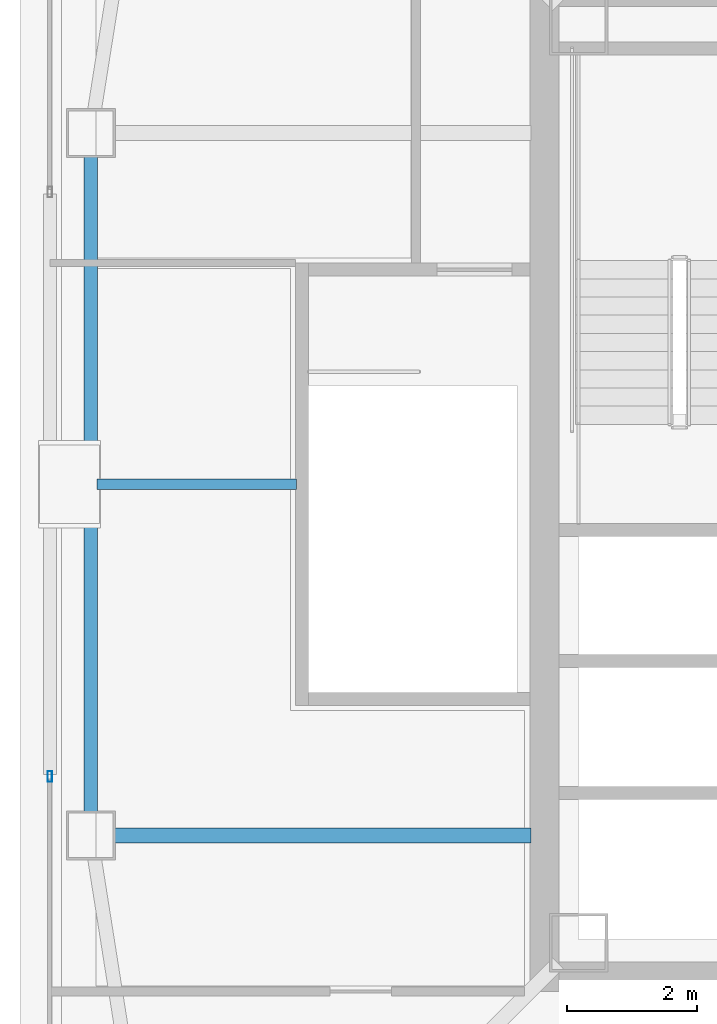
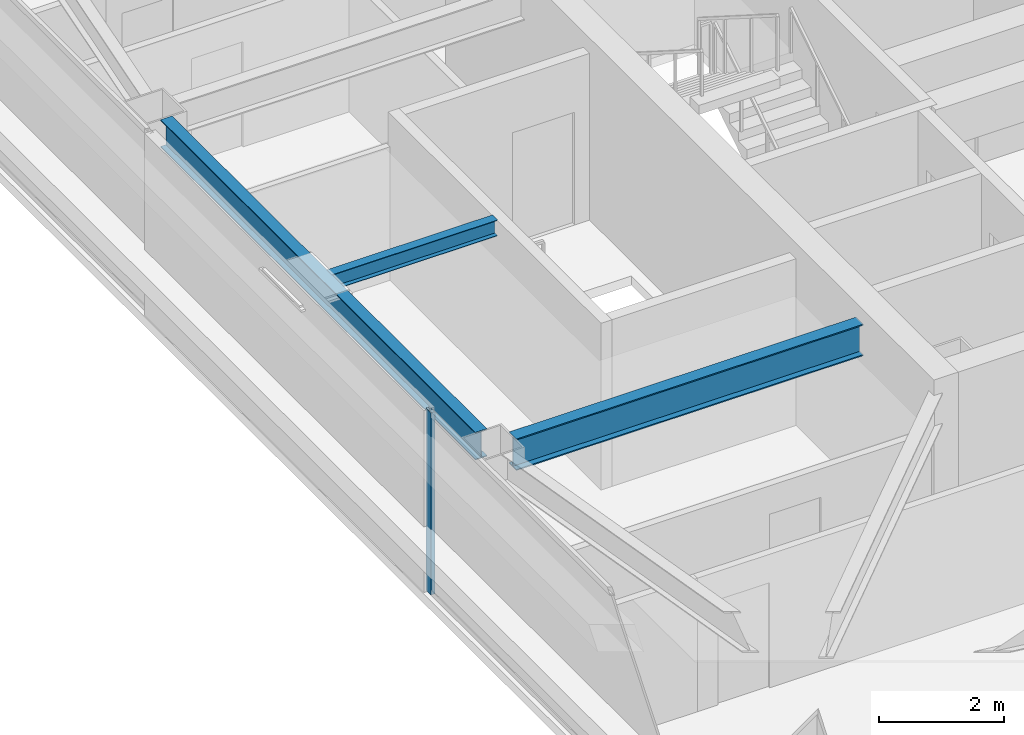
# One storey, part 4 of 18: 3 beams, 1 member, 1 element without a shape of its own.
"""IFC4 building model written with IfcOpenShell, lengths in metres."""

from ifc_helpers import new_model, si_unit, direction, frame, origin, origin_2d, place, context, subcontext, project, spatial, hollow_rectangle, i_section, extrude, material, material_profile, profile_set, type_object, element, aggregate, save


model = new_model("IFC4")

# Units and contexts
model_context = context("Model", 3, precision=1e-05, world=origin(), true_north=direction((0.0, 1.0)))
body_context = subcontext(model_context, "Body", "Model", "MODEL_VIEW")
ifc_project = project(units=[si_unit("LENGTHUNIT", "METRE"), si_unit("AREAUNIT", "SQUARE_METRE"), si_unit("VOLUMEUNIT", "CUBIC_METRE"), si_unit("PLANEANGLEUNIT", "RADIAN"), si_unit("MASSUNIT", "GRAM", prefix="KILO")], contexts=[model_context])

# Site, building, storey
site_placement = place(None, origin())
site = spatial("IfcSite", under=ifc_project, at=site_placement, CompositionType="ELEMENT")
building_placement = place(site_placement, origin())
building = spatial("IfcBuilding", under=site, at=building_placement, Name="Tashvorn Skyway Center", CompositionType="ELEMENT")
storey_placement = place(building_placement, frame((0.0, 0.0, 274.050048828125)))
storey = spatial("IfcBuildingStorey", under=building, at=storey_placement, Name="L74", CompositionType="ELEMENT", Elevation=274.050048828125)

# Beams
ifc_material_1 = material(Name="Steel ASTM A992 Grade 50", Category="steel")
ifc_material_profile_1 = material_profile(ifc_material_1, i_section(OverallWidth=0.22998046875, OverallDepth=0.616943359375, WebThickness=0.01318359375, FlangeThickness=0.022216796875, at=origin_2d()), Name="W24X94")
ifc_profile_set_1 = profile_set([ifc_material_profile_1], Name="Steel ASTM A992 Grade 50")
beam_type_1 = type_object("IfcBeamType", Name="BM-BEAM-W24X94", PredefinedType="BEAM", material=ifc_profile_set_1)
beam_1_placement = place(storey_placement, frame((27.820068359375, 26.60009765625, 2.94140625), z_axis=(1.0, 0.0, 0.0), x_axis=(0.0, 1.0, 0.0)))
element("IfcBeam", 1, at=beam_1_placement, inside=storey, type_object=beam_type_1, Name="Tower 1 L74 Primary Floor Girder FC-W2", PredefinedType="BEAM", context=body_context, shape_type="SweptSolid", body=[
    extrude(i_section(OverallWidth=0.22998046875, OverallDepth=0.616943359375, WebThickness=0.01318359375, FlangeThickness=0.022216796875, at=origin_2d()), origin(), (0.0, 0.0, 1.0), 6.39990234375),
])
ifc_material_profile_2 = material_profile(ifc_material_1, i_section(OverallWidth=0.1650390625, OverallDepth=0.31005859375, WebThickness=0.005859375, FlangeThickness=0.009765625, at=origin_2d()), Name="W12X26")
ifc_profile_set_2 = profile_set([ifc_material_profile_2], Name="Steel ASTM A992 Grade 50")
beam_type_2 = type_object("IfcBeamType", Name="BM-JOIST-W12X26", PredefinedType="JOIST", material=ifc_profile_set_2)
beam_2_placement = place(storey_placement, frame((30.610107421875, 32.0, 3.094970703125), z_axis=(-1.0, 0.0, 0.0), x_axis=(0.0, -1.0, 0.0)))
element("IfcBeam", 2, at=beam_2_placement, inside=storey, type_object=beam_type_2, Name="Tower 1 L74 Secondary Composite Joist JW", PredefinedType="JOIST", context=body_context, shape_type="SweptSolid", body=[
    extrude(i_section(OverallWidth=0.1650390625, OverallDepth=0.31005859375, WebThickness=0.005859375, FlangeThickness=0.009765625, at=origin_2d()), origin(), (0.0, 0.0, 1.0), 3.0625),
])
ifc_material_profile_3 = material_profile(ifc_material_1, i_section(OverallWidth=0.2109375, OverallDepth=0.5390625, WebThickness=0.01171875, FlangeThickness=0.018798828125, at=origin_2d()), Name="W21X73")
ifc_profile_set_3 = profile_set([ifc_material_profile_3], Name="Steel ASTM A992 Grade 50")
beam_type_3 = type_object("IfcBeamType", Name="BM-SPANDREL-W21X73", PredefinedType="SPANDREL", material=ifc_profile_set_3)
beam_3_placement = place(storey_placement, frame((27.449951171875, 37.030029296875, 2.98046875), z_axis=(0.0, -1.0, 0.0), x_axis=(1.0, 0.0, 0.0)))
element("IfcBeam", 3, at=beam_3_placement, inside=storey, type_object=beam_type_3, Name="Tower 1 L74 Spandrel Beam 11", PredefinedType="SPANDREL", context=body_context, shape_type="SweptSolid", body=[
    extrude(i_section(OverallWidth=0.2109375, OverallDepth=0.5390625, WebThickness=0.01171875, FlangeThickness=0.018798828125, at=origin_2d()), origin(), (0.0, 0.0, 1.0), 10.06005859375),
])

# Curtain wall, member
ifc_material_2 = material(Name="Thermally broken bronze-anodized aluminium 6063-T6", Category="aluminium")
curtain_wall_type = type_object("IfcCurtainWallType", Name="CW-CW-Z5", PredefinedType="NOTDEFINED", material=ifc_material_2)
curtain_wall_placement = place(storey_placement, origin())
curtain_wall = element("IfcCurtainWall", 4, at=curtain_wall_placement, inside=storey, type_object=curtain_wall_type, Name="Tower 1 L74 West Unitised Curtain Wall Glazing Group 1", PredefinedType="NOTDEFINED")
ifc_material_profile_4 = material_profile(ifc_material_2, hollow_rectangle(XDim=0.070068359375, YDim=0.1650390625, WallThickness=0.00390625, at=origin_2d()), Name="ALU-MULL-70x165")
ifc_profile_set_4 = profile_set([ifc_material_profile_4], Name="Thermally broken bronze-anodized aluminium 6063-T6")
member_type = type_object("IfcMemberType", Name="CWM-CW-Z5", PredefinedType="MULLION", material=ifc_profile_set_4)
member_placement = place(storey_placement, frame((26.820068359375, 27.5048828125, 0.0), z_axis=(0.0, 0.0, 1.0), x_axis=(-1.0, 0.0, 0.0)))
member = element("IfcMember", 5, at=member_placement, type_object=member_type, Name="CW-Z5 mullion 2", PredefinedType="MULLION", context=body_context, shape_type="SweptSolid", body=[
    extrude(hollow_rectangle(XDim=0.070068359375, YDim=0.1650390625, WallThickness=0.00390625, at=origin_2d()), origin(), (0.0, 0.0, 1.0), 3.550048828125),
])
aggregate(curtain_wall, [member])

save(model, "model.ifc")
